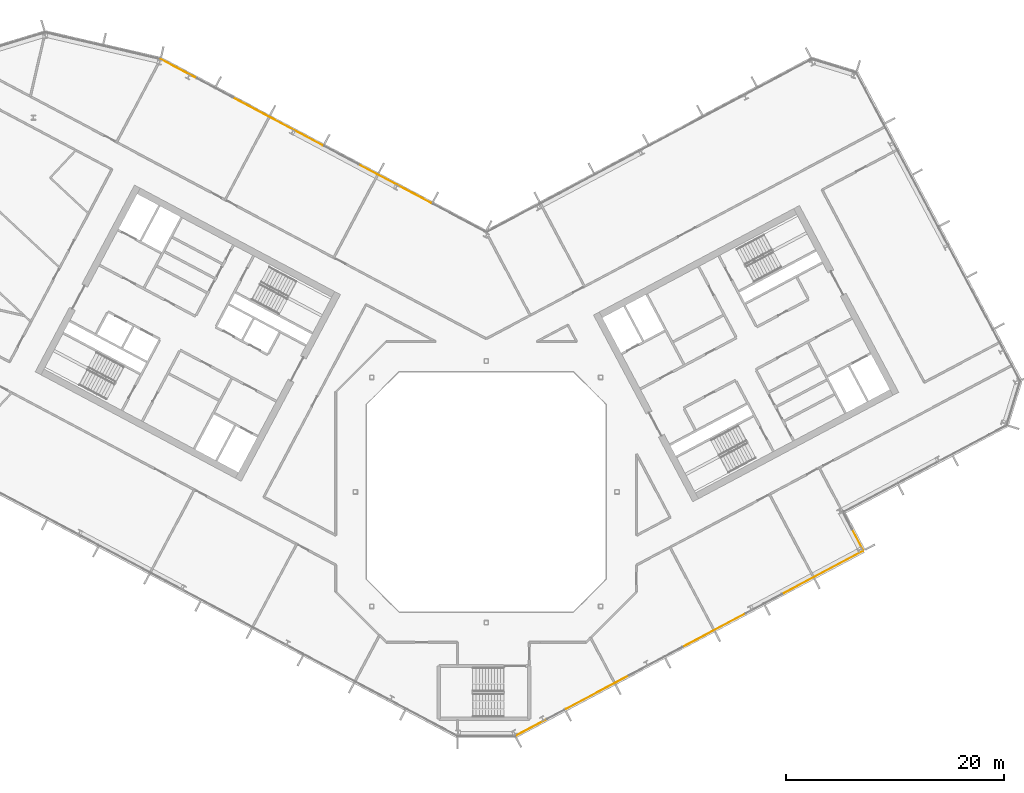
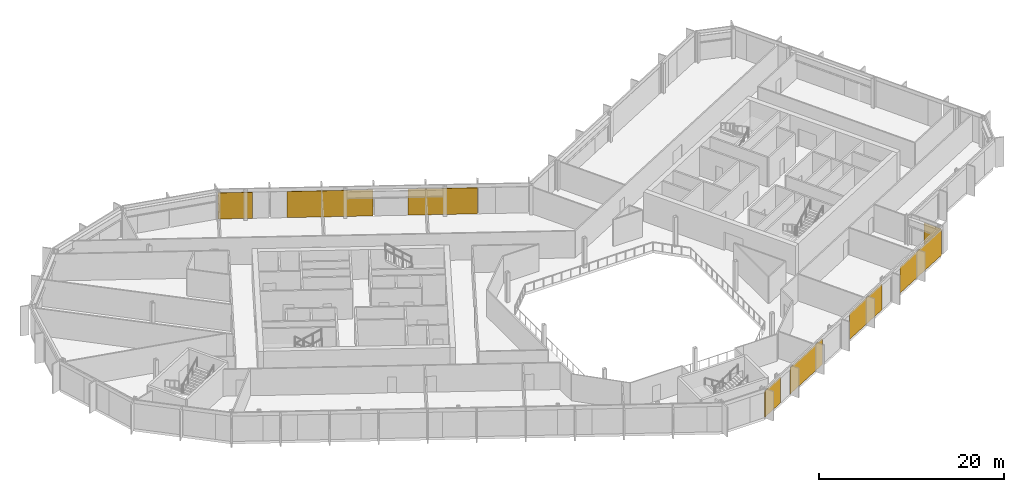
# One storey, part 24 of 27: 8 coverings, 3 elements without a shape of their own.
"""IFC4 building model written with IfcOpenShell, lengths in metres."""

from ifc_helpers import new_model, si_unit, direction, frame, origin, origin_2d, place, context, subcontext, project, spatial, rectangle, extrude, material, layer, layer_set, type_object, element, aggregate, save


model = new_model("IFC4")

# Units and contexts
model_context = context("Model", 3, precision=1e-05, world=origin(), true_north=direction((0.0, 1.0)))
body_context = subcontext(model_context, "Body", "Model", "MODEL_VIEW")
ifc_project = project(units=[si_unit("LENGTHUNIT", "METRE"), si_unit("AREAUNIT", "SQUARE_METRE"), si_unit("VOLUMEUNIT", "CUBIC_METRE"), si_unit("PLANEANGLEUNIT", "RADIAN"), si_unit("MASSUNIT", "GRAM", prefix="KILO")], contexts=[model_context])

# Site, building, storey
site_placement = place(None, origin())
site = spatial("IfcSite", under=ifc_project, at=site_placement, CompositionType="ELEMENT")
building_placement = place(site_placement, origin())
building = spatial("IfcBuilding", under=site, at=building_placement, Name="Cormorant Relay Tower", CompositionType="ELEMENT")
storey_placement = place(building_placement, frame((0.0, 0.0, 201.300048828125)))
storey = spatial("IfcBuildingStorey", under=building, at=storey_placement, Name="L43", CompositionType="ELEMENT", Elevation=201.300048828125)

# Curtain wall, coverings
ifc_material_1 = material(Name="Aluminium 6063-T6 anodised bronze", Category="aluminium")
ifc_layer_1 = layer(ifc_material_1, 0.199951171875)
ifc_layer_set_1 = layer_set([ifc_layer_1], Name="CW1 unitised bronze curtain wall with vertical fins")
curtain_wall_type = type_object("IfcCurtainWallType", Name="CW1 unitised bronze curtain wall with vertical fins", PredefinedType="NOTDEFINED", material=ifc_layer_set_1)
curtain_wall_1_placement = place(storey_placement, origin())
curtain_wall_1 = element("IfcCurtainWall", 1, at=curtain_wall_1_placement, inside=storey, type_object=curtain_wall_type, Name="CW1 curtain wall 2", PredefinedType="NOTDEFINED")
ifc_material_2 = material(Name="Pale bronze anodised aluminium insulated panel", Category="aluminium")
ifc_layer_2 = layer(ifc_material_2, 0.0400390625)
ifc_layer_set_2 = layer_set([ifc_layer_2], Name="CW1 pale bronze insulated panel 40")
covering_type = type_object("IfcCoveringType", Name="CW1 pale bronze insulated panel 40", PredefinedType="CLADDING", material=ifc_layer_set_2)
covering_1_placement = place(storey_placement, frame((4.14453125, -21.60302734375, 0.0), z_axis=(0.0, 0.0, 1.0), x_axis=(0.882947592859, 0.469471562786, 0.0)))
covering_1 = element("IfcCovering", 2, at=covering_1_placement, type_object=covering_type, Name="CW1 panel S00", PredefinedType="CLADDING", context=body_context, shape_type="SweptSolid", body=[
    extrude(rectangle(XDim=3.216552734375, YDim=0.0400390625, at=origin_2d()), origin(), (0.0, 0.0, 1.0), 3.449951171875),
])
covering_2_placement = place(storey_placement, frame((10.1923828125, -18.38720703125, 0.0), z_axis=(0.0, 0.0, 1.0), x_axis=(0.882947592859, 0.469471562786, 0.0)))
covering_2 = element("IfcCovering", 3, at=covering_2_placement, type_object=covering_type, Name="CW1 panel S02", PredefinedType="CLADDING", context=body_context, shape_type="SweptSolid", body=[
    extrude(rectangle(XDim=6.5830078125, YDim=0.0400390625, at=origin_2d()), origin(), (0.0, 0.0, 1.0), 3.449951171875),
])
covering_3_placement = place(storey_placement, frame((20.905517578125, -12.69091796875, 0.0), z_axis=(0.0, 0.0, 1.0), x_axis=(0.882947592859, 0.469471562786, 0.0)))
covering_3 = element("IfcCovering", 4, at=covering_3_placement, type_object=covering_type, Name="CW1 panel S05", PredefinedType="CLADDING", context=body_context, shape_type="SweptSolid", body=[
    extrude(rectangle(XDim=6.5830078125, YDim=0.0400390625, at=origin_2d()), origin(), (0.0, 0.0, 1.0), 3.449951171875),
])
covering_4_placement = place(storey_placement, frame((30.856689453125, -7.39990234375, 0.0), z_axis=(0.0, 0.0, 1.0), x_axis=(0.882947592859, 0.469471562786, 0.0)))
covering_4 = element("IfcCovering", 5, at=covering_4_placement, type_object=covering_type, Name="CW1 panel S08", PredefinedType="CLADDING", context=body_context, shape_type="SweptSolid", body=[
    extrude(rectangle(XDim=8.4580078125, YDim=0.0400390625, at=origin_2d()), origin(), (0.0, 0.0, 1.0), 3.449951171875),
])
aggregate(curtain_wall_1, [covering_1, covering_2, covering_3, covering_4])

# Curtain wall, covering
curtain_wall_2_placement = place(storey_placement, origin())
curtain_wall_2 = element("IfcCurtainWall", 6, at=curtain_wall_2_placement, inside=storey, type_object=curtain_wall_type, Name="CW1 curtain wall 3", PredefinedType="NOTDEFINED")
covering_5_placement = place(storey_placement, frame((34.065185546875, -4.383056640625, 0.0), z_axis=(0.0, 0.0, 1.0), x_axis=(-0.469471562786, 0.882947592859, 0.0)))
covering_5 = element("IfcCovering", 7, at=covering_5_placement, type_object=covering_type, Name="CW1 panel S00", PredefinedType="CLADDING", context=body_context, shape_type="SweptSolid", body=[
    extrude(rectangle(XDim=2.125, YDim=0.0400390625, at=origin_2d()), origin(), (0.0, 0.0, 1.0), 3.449951171875),
])
aggregate(curtain_wall_2, [covering_5])

# Curtain wall, coverings
curtain_wall_3_placement = place(storey_placement, origin())
curtain_wall_3 = element("IfcCurtainWall", 8, at=curtain_wall_3_placement, inside=storey, type_object=curtain_wall_type, Name="CW1 curtain wall 9", PredefinedType="NOTDEFINED")
covering_6_placement = place(storey_placement, frame((-8.359130859375, 28.251220703125, 0.0), z_axis=(0.0, 0.0, 1.0), x_axis=(-0.882947592859, 0.469471562786, 0.0)))
covering_6 = element("IfcCovering", 9, at=covering_6_placement, type_object=covering_type, Name="CW1 panel S02", PredefinedType="CLADDING", context=body_context, shape_type="SweptSolid", body=[
    extrude(rectangle(XDim=7.528076171875, YDim=0.0400390625, at=origin_2d()), origin(), (0.0, 0.0, 1.0), 3.449951171875),
])
covering_7_placement = place(storey_placement, frame((-19.11181640625, 33.968505859375, 0.0), z_axis=(0.0, 0.0, 1.0), x_axis=(-0.882947592859, 0.469471562786, 0.0)))
covering_7 = element("IfcCovering", 10, at=covering_7_placement, type_object=covering_type, Name="CW1 panel S04", PredefinedType="CLADDING", context=body_context, shape_type="SweptSolid", body=[
    extrude(rectangle(XDim=9.327880859375, YDim=0.0400390625, at=origin_2d()), origin(), (0.0, 0.0, 1.0), 3.449951171875),
])
covering_8_placement = place(storey_placement, frame((-28.20263671875, 38.80224609375, 0.0), z_axis=(0.0, 0.0, 1.0), x_axis=(-0.882947592859, 0.469471562786, 0.0)))
covering_8 = element("IfcCovering", 11, at=covering_8_placement, type_object=covering_type, Name="CW1 panel S07", PredefinedType="CLADDING", context=body_context, shape_type="SweptSolid", body=[
    extrude(rectangle(XDim=3.763916015625, YDim=0.0400390625, at=origin_2d()), origin(), (0.0, 0.0, 1.0), 3.449951171875),
])
aggregate(curtain_wall_3, [covering_6, covering_7, covering_8])

save(model, "model.ifc")
